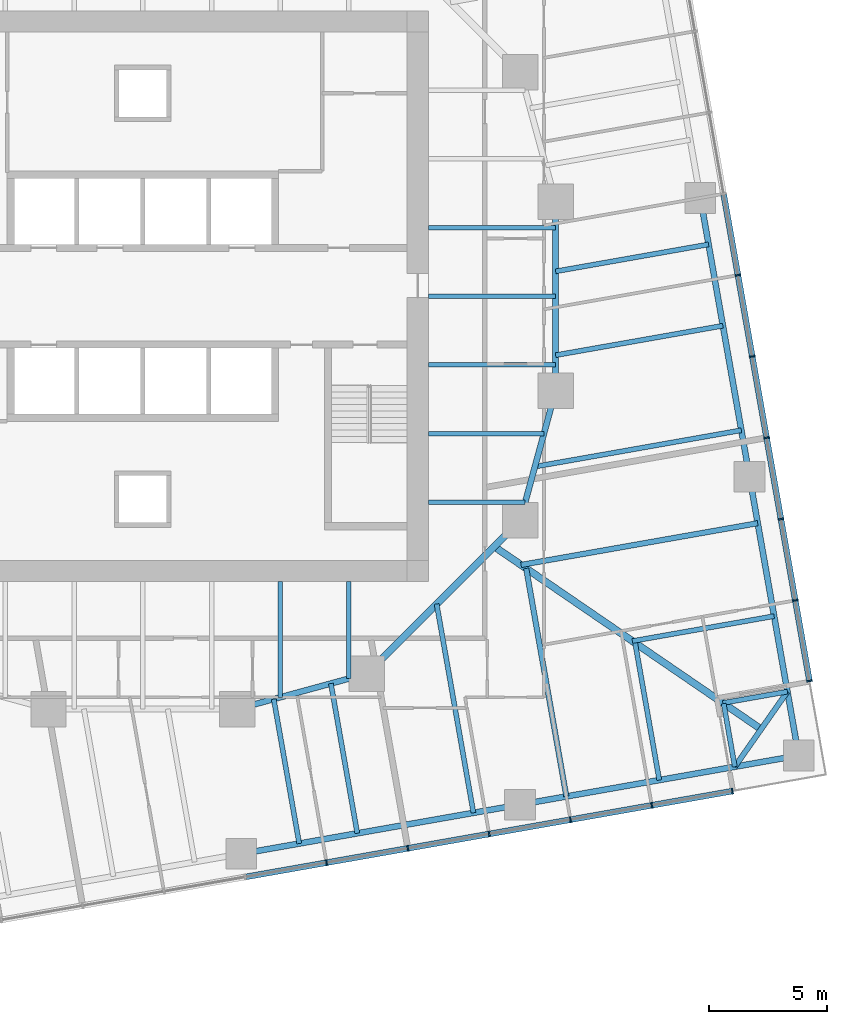
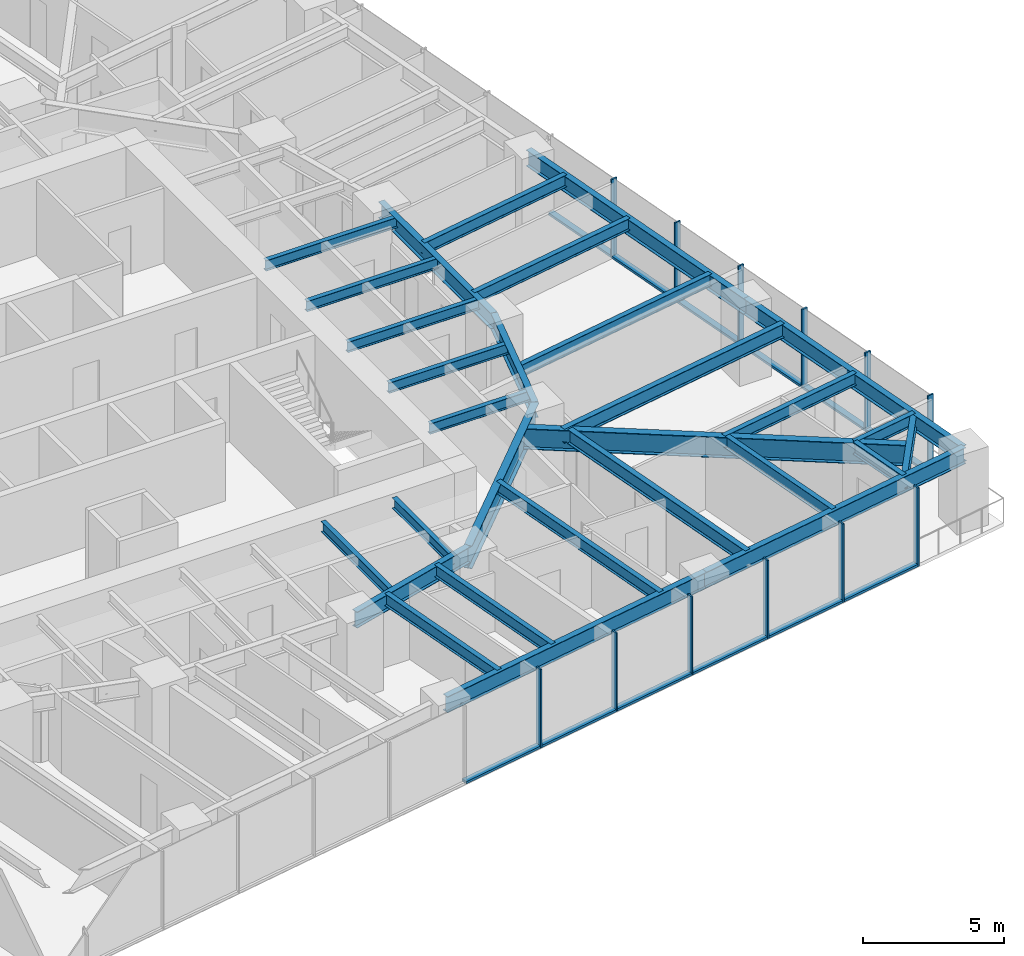
# One storey, part 4 of 14: 29 beams, 24 members, 2 elements without a shape of their own.
"""IFC4 building model written with IfcOpenShell, lengths in metres."""

import ifcopenshell
import ifcopenshell.guid

model = None  # the IFC model being written
_history = None  # IfcOwnerHistory: only IFC2X3 demands one
_inside = {}  # id of a spatial element -> (the spatial element, [elements in it])
_under = {}  # id of a project, library or spatial element -> (it, [spatial elements below it])
_declared = {}  # id of a project -> (the project, [libraries it declares])
_typed = {}  # id of a type object -> (the type object, [elements of that type])
_made_of = {}  # id of a material, layer set ... -> (it, [elements and type objects made of it])


def new_model(schema):
    """Start an empty IFC model of exactly this schema.

    Asked for "IFC4X3", IfcOpenShell would pick the latest addendum, in which some entities
    have other attributes; the version numbers below select the first issue.
    IFC2X3 requires an IfcOwnerHistory on every rooted entity: one is made here for all.
    """
    global model, _history
    if schema == "IFC4X3":
        model = ifcopenshell.file(schema_version=(4, 3, 0, 0))
    else:
        model = ifcopenshell.file(schema=schema)
    _inside.clear()
    _under.clear()
    _declared.clear()
    _typed.clear()
    _made_of.clear()
    _history = None
    if model.schema == "IFC2X3":
        org = make("IfcOrganization", Name="unknown")
        user = make(
            "IfcPersonAndOrganization",
            ThePerson=make("IfcPerson", FamilyName="unknown"),
            TheOrganization=org,
        )
        app = make(
            "IfcApplication",
            ApplicationDeveloper=org,
            Version="unknown",
            ApplicationFullName="unknown",
            ApplicationIdentifier="unknown",
        )
        _history = make(
            "IfcOwnerHistory",
            OwningUser=user,
            OwningApplication=app,
            ChangeAction="ADDED",
            CreationDate=0,
        )
    return model


def make(cls, **values):
    """One entity of the class cls with the attributes given. An attribute that is None is left unset."""
    return model.create_entity(
        cls, **{name: value for name, value in values.items() if value is not None}
    )


def rooted(cls, **values):
    """An entity with a GlobalId (a new one), such as an element, a storey or a relation."""
    return make(cls, GlobalId=ifcopenshell.guid.new(), OwnerHistory=_history, **values)


def si_unit(unit_type, name, prefix=None):
    """IfcSIUnit, for example si_unit("LENGTHUNIT", "METRE", prefix="MILLI")."""
    return make("IfcSIUnit", UnitType=unit_type, Prefix=prefix, Name=name)


def assignment(units):
    """IfcUnitAssignment: the units of a project."""
    return None if units is None else make("IfcUnitAssignment", Units=units)


def point(xyz):
    """IfcCartesianPoint."""
    return None if xyz is None else make("IfcCartesianPoint", Coordinates=xyz)


def direction(xyz):
    """IfcDirection."""
    return None if xyz is None else make("IfcDirection", DirectionRatios=xyz)


def frame(location, z_axis=None, x_axis=None):
    """IfcAxis2Placement3D, a coordinate frame: its origin and axes. An axis left out is left unset."""
    return make(
        "IfcAxis2Placement3D",
        Location=point(location),
        Axis=direction(z_axis),
        RefDirection=direction(x_axis),
    )


def frame_2d(location, x_axis=None):
    """IfcAxis2Placement2D, a coordinate frame in the plane: its origin and x axis."""
    return make(
        "IfcAxis2Placement2D", Location=point(location), RefDirection=direction(x_axis)
    )


def origin():
    """The frame at (0, 0, 0) with its axes left unset."""
    return frame((0.0, 0.0, 0.0))


def origin_2d():
    """The frame at (0, 0) in the plane with its x axis left unset."""
    return frame_2d((0.0, 0.0))


def place(relative_to, where):
    """IfcLocalPlacement: puts the frame where relative to a parent placement (None: the world)."""
    return make(
        "IfcLocalPlacement", PlacementRelTo=relative_to, RelativePlacement=where
    )


def context(
    kind, dimensions, precision=None, world=None, true_north=None, identifier=None
):
    """IfcGeometricRepresentationContext, for example the 3D "Model" context."""
    return make(
        "IfcGeometricRepresentationContext",
        ContextIdentifier=identifier,
        ContextType=kind,
        CoordinateSpaceDimension=dimensions,
        Precision=precision,
        WorldCoordinateSystem=world,
        TrueNorth=true_north,
    )


def subcontext(parent, identifier, kind, view, scale=None):
    """IfcGeometricRepresentationSubContext, for example "Body" below "Model"."""
    return make(
        "IfcGeometricRepresentationSubContext",
        ContextIdentifier=identifier,
        ContextType=kind,
        ParentContext=parent,
        TargetScale=scale,
        TargetView=view,
    )


def project(units=None, contexts=None):
    """IfcProject with its units and contexts."""
    return rooted(
        "IfcProject",
        Name="project",
        RepresentationContexts=contexts,
        UnitsInContext=assignment(units),
    )


def spatial(cls, under=None, at=None, **own):
    """A site, building, storey or space (cls), placed at a placement, below another one or the project."""
    s = rooted(cls, ObjectPlacement=at, **own)
    if under is not None:
        _under.setdefault(under.id(), (under, []))[1].append(s)
    return s


def profile(cls, at=None, kind="AREA", **sizes):
    """A parametric profile (cls). Its sizes go by their IFC names, for example OverallWidth=200.0."""
    return make(cls, ProfileType=kind, Position=at, **sizes)


def rectangle(**sizes):
    """IfcRectangleProfileDef."""
    return profile("IfcRectangleProfileDef", **sizes)


def i_section(**sizes):
    """IfcIShapeProfileDef."""
    return profile("IfcIShapeProfileDef", **sizes)


def extrude(swept, where, along, depth):
    """IfcExtrudedAreaSolid: the profile swept, set in the frame where, extruded along a direction by depth."""
    return make(
        "IfcExtrudedAreaSolid",
        SweptArea=swept,
        Position=where,
        ExtrudedDirection=direction(along),
        Depth=depth,
    )


def shape(context_of_items, identifier, shape_type, items):
    """IfcShapeRepresentation: the items that make up one representation, for example the "Body"."""
    return make(
        "IfcShapeRepresentation",
        ContextOfItems=context_of_items,
        RepresentationIdentifier=identifier,
        RepresentationType=shape_type,
        Items=items,
    )


def material(Name=None, Category=None):
    """IfcMaterial."""
    return make("IfcMaterial", Name=Name, Category=Category)


def material_profile(
    of_material, cross_section, Name=None, Category=None, Priority=None
):
    """IfcMaterialProfile: a cross section and its material."""
    return make(
        "IfcMaterialProfile",
        Name=Name,
        Material=of_material,
        Profile=cross_section,
        Priority=Priority,
        Category=Category,
    )


def profile_set(profiles, Name=None, composite=None):
    """IfcMaterialProfileSet."""
    return make(
        "IfcMaterialProfileSet",
        Name=Name,
        MaterialProfiles=profiles,
        CompositeProfile=composite,
    )


def made_of(thing, what):
    """Note that an element or type object is made of a material, layer set ...; save() writes the relation."""
    if what is not None:
        _made_of.setdefault(what.id(), (what, []))[1].append(thing)
    return thing


def type_object(cls, material=None, **own):
    """A type object (cls), such as IfcWallType, which elements share."""
    return made_of(rooted(cls, **own), material)


def element(
    cls,
    number,
    at=None,
    inside=None,
    cuts=None,
    type_object=None,
    material=None,
    context=None,
    identifier="Body",
    shape_type=None,
    held_by="IfcProductDefinitionShape",
    body=None,
    shapes=None,
    **own,
):
    """One element of the class cls, such as IfcWall. Its Tag is "e" and its number.

    at: its placement. inside: the storey or other place that contains it. cuts: it is an
    opening in that element (IfcRelVoidsElement). A single representation is given by context,
    identifier, shape_type and body (its items); several are given by shapes. held_by: the class
    of the entity that holds the representations. save() writes the other relations.
    """
    e = rooted(cls, Tag="e%d" % number, ObjectPlacement=at, **own)
    if body is not None:
        shapes = [shape(context, identifier, shape_type, body)]
    if shapes is not None:
        e.Representation = make(held_by, Representations=shapes)
    if inside is not None:
        _inside.setdefault(inside.id(), (inside, []))[1].append(e)
    if cuts is not None:
        rooted(
            "IfcRelVoidsElement", RelatingBuildingElement=cuts, RelatedOpeningElement=e
        )
    if type_object is not None:
        _typed.setdefault(type_object.id(), (type_object, []))[1].append(e)
    return made_of(e, material)


def aggregate(whole, parts):
    """IfcRelAggregates: a whole, such as a stair, and the parts it consists of."""
    return rooted("IfcRelAggregates", RelatingObject=whole, RelatedObjects=parts)


def save(model, path):
    """Write the relations noted so far, then the file.

    IfcRelAggregates (storeys below a building ...), IfcRelContainedInSpatialStructure (elements
    in a storey), IfcRelDefinesByType, IfcRelAssociatesMaterial and IfcRelDeclares: one each for
    every whole, place, type object, material and project.
    """
    for whole, parts in _under.values():
        aggregate(whole, parts)
    for where, things in _inside.values():
        rooted(
            "IfcRelContainedInSpatialStructure",
            RelatedElements=things,
            RelatingStructure=where,
        )
    for kind, things in _typed.values():
        rooted("IfcRelDefinesByType", RelatedObjects=things, RelatingType=kind)
    for what, things in _made_of.values():
        rooted("IfcRelAssociatesMaterial", RelatedObjects=things, RelatingMaterial=what)
    for by, libraries in _declared.values():
        rooted("IfcRelDeclares", RelatingContext=by, RelatedDefinitions=libraries)
    model.write(path)


model = new_model("IFC4")

# Units and contexts
model_context = context("Model", 3, precision=1e-05, world=origin(), true_north=direction((0.0, 1.0)))
body_context = subcontext(model_context, "Body", "Model", "MODEL_VIEW")
ifc_project = project(units=[si_unit("LENGTHUNIT", "METRE"), si_unit("AREAUNIT", "SQUARE_METRE"), si_unit("VOLUMEUNIT", "CUBIC_METRE"), si_unit("PLANEANGLEUNIT", "RADIAN"), si_unit("MASSUNIT", "GRAM", prefix="KILO")], contexts=[model_context])

# Site, building, storey
site_placement = place(None, origin())
site = spatial("IfcSite", under=ifc_project, at=site_placement, CompositionType="ELEMENT")
building_placement = place(site_placement, origin())
building = spatial("IfcBuilding", under=site, at=building_placement, Name="Torsade Residences", CompositionType="ELEMENT")
storey_placement = place(building_placement, frame((0.0, 0.0, 86.199951171875)))
storey = spatial("IfcBuildingStorey", under=building, at=storey_placement, Name="L23", CompositionType="ELEMENT", Elevation=86.199951171875)

# Beams
ifc_material_1 = material(Name="Steel grade 300", Category="steel")
ifc_material_profile_1 = material_profile(ifc_material_1, i_section(OverallWidth=0.300048828125, OverallDepth=0.89990234375, WebThickness=0.011962890625, FlangeThickness=0.02490234375, at=origin_2d()), Name="900WB175")
ifc_profile_set_1 = profile_set([ifc_material_profile_1], Name="Steel grade 300")
beam_type_1 = type_object("IfcBeamType", Name="CORNER GIRDER 900WB175", PredefinedType="BEAM", material=ifc_profile_set_1)
beam_1_placement = place(storey_placement, frame((66.2099609375, 11.6474609375, 2.800048828125), z_axis=(-0.825279313977, 0.564724759437, 0.0), x_axis=(-0.564724759437, -0.825279313977, 0.0)))
element("IfcBeam", 1, at=beam_1_placement, inside=storey, type_object=beam_type_1, Name="Corner girder 05 L24", PredefinedType="BEAM", context=body_context, shape_type="SweptSolid", body=[
    extrude(i_section(OverallWidth=0.300048828125, OverallDepth=0.89990234375, WebThickness=0.011962890625, FlangeThickness=0.02490234375, at=origin_2d()), origin(), (0.0, 0.0, 1.0), 13.7138671875),
])
ifc_material_2 = material(Name="Steel grade 300", Category="steel")
ifc_material_profile_2 = material_profile(ifc_material_2, i_section(OverallWidth=0.22802734375, OverallDepth=0.60205078125, WebThickness=0.010498046875, FlangeThickness=0.014892578125, FilletRadius=0.013916015625, at=origin_2d()), Name="610UB101")
ifc_profile_set_2 = profile_set([ifc_material_profile_2], Name="Steel grade 300")
beam_type_2 = type_object("IfcBeamType", Name="CORNER TRIMMER 610UB101", PredefinedType="BEAM", material=ifc_profile_set_2)
beam_2_placement = place(storey_placement, frame((67.325439453125, 13.240478515625, 2.948974609375), z_axis=(-0.573576092373, -0.819152285145, 0.0), x_axis=(0.819152285145, -0.573576092373, 0.0)))
element("IfcBeam", 2, at=beam_2_placement, inside=storey, type_object=beam_type_2, Name="Corner trimmer 05 L24", PredefinedType="BEAM", context=body_context, shape_type="SweptSolid", body=[
    extrude(i_section(OverallWidth=0.22802734375, OverallDepth=0.60205078125, WebThickness=0.010498046875, FlangeThickness=0.014892578125, FilletRadius=0.013916015625, at=origin_2d()), origin(), (0.0, 0.0, 1.0), 3.88916015625),
])

# Curtain wall, members
ifc_material_3 = material(Name="Aluminium and glass", Category="aluminium")
curtain_wall_type = type_object("IfcCurtainWallType", Name="FRITTED GLASS CURTAIN WALL LOW ZONE", PredefinedType="NOTDEFINED", material=ifc_material_3)
curtain_wall_1_placement = place(storey_placement, origin())
curtain_wall_1 = element("IfcCurtainWall", 3, at=curtain_wall_1_placement, inside=storey, type_object=curtain_wall_type, Name="Curtain wall L23 face 1", PredefinedType="NOTDEFINED")
ifc_material_4 = material(Name="Aluminium mullion", Category="aluminium")
ifc_material_profile_3 = material_profile(ifc_material_4, rectangle(XDim=0.25, YDim=0.06494140625, at=origin_2d()), Name="CURTAIN WALL MULLION 250x65")
ifc_profile_set_3 = profile_set([ifc_material_profile_3], Name="Aluminium mullion")
member_type_1 = type_object("IfcMemberType", Name="CURTAIN WALL MULLION 250x65", PredefinedType="MULLION", material=ifc_profile_set_3)
member_1_placement = place(storey_placement, frame((47.7880859375, 5.987548828125, 0.0), z_axis=(0.0, 0.0, 1.0), x_axis=(-0.173648192638, 0.984807750372, 0.0)))
member_1 = element("IfcMember", 4, at=member_1_placement, type_object=member_type_1, Name="Mullion 8", PredefinedType="MULLION", context=body_context, shape_type="SweptSolid", body=[
    extrude(rectangle(XDim=0.25, YDim=0.06494140625, at=origin_2d()), origin(), (0.0, 0.0, 1.0), 3.400146484375),
])
member_2_placement = place(storey_placement, frame((51.23486328125, 6.595458984375, 0.0), z_axis=(0.0, 0.0, 1.0), x_axis=(-0.173648192638, 0.984807750372, 0.0)))
member_2 = element("IfcMember", 5, at=member_2_placement, type_object=member_type_1, Name="Mullion 9", PredefinedType="MULLION", context=body_context, shape_type="SweptSolid", body=[
    extrude(rectangle(XDim=0.25, YDim=0.06494140625, at=origin_2d()), origin(), (0.0, 0.0, 1.0), 3.400146484375),
])
member_3_placement = place(storey_placement, frame((54.681640625, 7.203125, 0.0), z_axis=(0.0, 0.0, 1.0), x_axis=(-0.173648192638, 0.984807750372, 0.0)))
member_3 = element("IfcMember", 6, at=member_3_placement, type_object=member_type_1, Name="Mullion 10", PredefinedType="MULLION", context=body_context, shape_type="SweptSolid", body=[
    extrude(rectangle(XDim=0.25, YDim=0.06494140625, at=origin_2d()), origin(), (0.0, 0.0, 1.0), 3.400146484375),
])
member_4_placement = place(storey_placement, frame((58.12841796875, 7.810791015625, 0.0), z_axis=(0.0, 0.0, 1.0), x_axis=(-0.173648192638, 0.984807750372, 0.0)))
member_4 = element("IfcMember", 7, at=member_4_placement, type_object=member_type_1, Name="Mullion 11", PredefinedType="MULLION", context=body_context, shape_type="SweptSolid", body=[
    extrude(rectangle(XDim=0.25, YDim=0.06494140625, at=origin_2d()), origin(), (0.0, 0.0, 1.0), 3.400146484375),
])
member_5_placement = place(storey_placement, frame((61.575439453125, 8.418701171875, 0.0), z_axis=(0.0, 0.0, 1.0), x_axis=(-0.173648192638, 0.984807750372, 0.0)))
member_5 = element("IfcMember", 8, at=member_5_placement, type_object=member_type_1, Name="Mullion 12", PredefinedType="MULLION", context=body_context, shape_type="SweptSolid", body=[
    extrude(rectangle(XDim=0.25, YDim=0.06494140625, at=origin_2d()), origin(), (0.0, 0.0, 1.0), 3.400146484375),
])
member_6_placement = place(storey_placement, frame((64.990234375, 9.020751953125, 0.0), z_axis=(0.0, 0.0, 1.0), x_axis=(-0.173648192638, 0.984807750372, 0.0)))
member_6 = element("IfcMember", 9, at=member_6_placement, type_object=member_type_1, Name="Mullion 13", PredefinedType="MULLION", context=body_context, shape_type="SweptSolid", body=[
    extrude(rectangle(XDim=0.25, YDim=0.06494140625, at=origin_2d()), origin(), (0.0, 0.0, 1.0), 3.400146484375),
])

curtain_wall_2_placement = place(storey_placement, origin())
curtain_wall_2 = element("IfcCurtainWall", 10, at=curtain_wall_2_placement, inside=storey, type_object=curtain_wall_type, Name="Curtain wall L23 face 4", PredefinedType="NOTDEFINED")
member_7_placement = place(storey_placement, frame((68.26123046875, 13.692138671875, 0.0), z_axis=(0.0, 0.0, 1.0), x_axis=(-0.984807750372, -0.173648192638, 0.0)))
member_7 = element("IfcMember", 11, at=member_7_placement, type_object=member_type_1, Name="Mullion 1", PredefinedType="MULLION", context=body_context, shape_type="SweptSolid", body=[
    extrude(rectangle(XDim=0.25, YDim=0.06494140625, at=origin_2d()), origin(), (0.0, 0.0, 1.0), 3.400146484375),
])
member_8_placement = place(storey_placement, frame((67.658935546875, 17.107177734375, 0.0), z_axis=(0.0, 0.0, 1.0), x_axis=(-0.984807750372, -0.173648192638, 0.0)))
member_8 = element("IfcMember", 12, at=member_8_placement, type_object=member_type_1, Name="Mullion 2", PredefinedType="MULLION", context=body_context, shape_type="SweptSolid", body=[
    extrude(rectangle(XDim=0.25, YDim=0.06494140625, at=origin_2d()), origin(), (0.0, 0.0, 1.0), 3.400146484375),
])
member_9_placement = place(storey_placement, frame((67.05126953125, 20.553955078125, 0.0), z_axis=(0.0, 0.0, 1.0), x_axis=(-0.984807750372, -0.173648192638, 0.0)))
member_9 = element("IfcMember", 13, at=member_9_placement, type_object=member_type_1, Name="Mullion 3", PredefinedType="MULLION", context=body_context, shape_type="SweptSolid", body=[
    extrude(rectangle(XDim=0.25, YDim=0.06494140625, at=origin_2d()), origin(), (0.0, 0.0, 1.0), 3.400146484375),
])
member_10_placement = place(storey_placement, frame((66.443603515625, 24.000732421875, 0.0), z_axis=(0.0, 0.0, 1.0), x_axis=(-0.984807750372, -0.173648192638, 0.0)))
member_10 = element("IfcMember", 14, at=member_10_placement, type_object=member_type_1, Name="Mullion 4", PredefinedType="MULLION", context=body_context, shape_type="SweptSolid", body=[
    extrude(rectangle(XDim=0.25, YDim=0.06494140625, at=origin_2d()), origin(), (0.0, 0.0, 1.0), 3.400146484375),
])
member_11_placement = place(storey_placement, frame((65.835693359375, 27.447509765625, 0.0), z_axis=(0.0, 0.0, 1.0), x_axis=(-0.984807750372, -0.173648192638, 0.0)))
member_11 = element("IfcMember", 15, at=member_11_placement, type_object=member_type_1, Name="Mullion 5", PredefinedType="MULLION", context=body_context, shape_type="SweptSolid", body=[
    extrude(rectangle(XDim=0.25, YDim=0.06494140625, at=origin_2d()), origin(), (0.0, 0.0, 1.0), 3.400146484375),
])
member_12_placement = place(storey_placement, frame((65.22802734375, 30.894287109375, 0.0), z_axis=(0.0, 0.0, 1.0), x_axis=(-0.984807750372, -0.173648192638, 0.0)))
member_12 = element("IfcMember", 16, at=member_12_placement, type_object=member_type_1, Name="Mullion 6", PredefinedType="MULLION", context=body_context, shape_type="SweptSolid", body=[
    extrude(rectangle(XDim=0.25, YDim=0.06494140625, at=origin_2d()), origin(), (0.0, 0.0, 1.0), 3.400146484375),
])

# Member
ifc_material_5 = material(Name="Aluminium transom", Category="aluminium")
ifc_material_profile_4 = material_profile(ifc_material_5, rectangle(XDim=0.25, YDim=0.10009765625, at=origin_2d()), Name="CURTAIN WALL TRANSOM 250x100")
ifc_profile_set_4 = profile_set([ifc_material_profile_4], Name="Aluminium transom")
member_type_2 = type_object("IfcMemberType", Name="CURTAIN WALL TRANSOM 250x100", PredefinedType="USERDEFINED", material=ifc_profile_set_4)
member_13_placement = place(storey_placement, frame((44.373291015625, 5.385498046875, 0.050048828125), z_axis=(0.984810021497, 0.17363531196, 0.0), x_axis=(-0.17363531196, 0.984810021497, 0.0)))
member_13 = element("IfcMember", 17, at=member_13_placement, type_object=member_type_2, Name="Transom 7.1", ObjectType="TRANSOM", PredefinedType="USERDEFINED", context=body_context, shape_type="SweptSolid", body=[
    extrude(rectangle(XDim=0.25, YDim=0.10009765625, at=origin_2d()), origin(), (0.0, 0.0, 1.0), 3.43505859375),
])

member_14_placement = place(storey_placement, frame((47.820068359375, 5.9931640625, 0.050048828125), z_axis=(0.984810021497, 0.17363531196, 0.0), x_axis=(-0.17363531196, 0.984810021497, 0.0)))
member_14 = element("IfcMember", 18, at=member_14_placement, type_object=member_type_2, Name="Transom 8.1", ObjectType="TRANSOM", PredefinedType="USERDEFINED", context=body_context, shape_type="SweptSolid", body=[
    extrude(rectangle(XDim=0.25, YDim=0.10009765625, at=origin_2d()), origin(), (0.0, 0.0, 1.0), 3.43505859375),
])

member_15_placement = place(storey_placement, frame((51.266845703125, 6.60107421875, 0.050048828125), z_axis=(0.984810021497, 0.17363531196, 0.0), x_axis=(-0.17363531196, 0.984810021497, 0.0)))
member_15 = element("IfcMember", 19, at=member_15_placement, type_object=member_type_2, Name="Transom 9.1", ObjectType="TRANSOM", PredefinedType="USERDEFINED", context=body_context, shape_type="SweptSolid", body=[
    extrude(rectangle(XDim=0.25, YDim=0.10009765625, at=origin_2d()), origin(), (0.0, 0.0, 1.0), 3.43505859375),
])

member_16_placement = place(storey_placement, frame((54.713623046875, 7.208740234375, 0.050048828125), z_axis=(0.984810021497, 0.17363531196, 0.0), x_axis=(-0.17363531196, 0.984810021497, 0.0)))
member_16 = element("IfcMember", 20, at=member_16_placement, type_object=member_type_2, Name="Transom 10.1", ObjectType="TRANSOM", PredefinedType="USERDEFINED", context=body_context, shape_type="SweptSolid", body=[
    extrude(rectangle(XDim=0.25, YDim=0.10009765625, at=origin_2d()), origin(), (0.0, 0.0, 1.0), 3.43505859375),
])

member_17_placement = place(storey_placement, frame((58.160400390625, 7.81640625, 0.050048828125), z_axis=(0.98479786563, 0.173704242465, 0.0), x_axis=(-0.173704242465, 0.98479786563, 0.0)))
member_17 = element("IfcMember", 21, at=member_17_placement, type_object=member_type_2, Name="Transom 11.1", ObjectType="TRANSOM", PredefinedType="USERDEFINED", context=body_context, shape_type="SweptSolid", body=[
    extrude(rectangle(XDim=0.25, YDim=0.10009765625, at=origin_2d()), origin(), (0.0, 0.0, 1.0), 3.43505859375),
])

member_18_placement = place(storey_placement, frame((61.607421875, 8.42431640625, 0.050048828125), z_axis=(0.984808830466, 0.173642067011, 0.0), x_axis=(-0.173642067011, 0.984808830466, 0.0)))
member_18 = element("IfcMember", 22, at=member_18_placement, type_object=member_type_2, Name="Transom 12.1", ObjectType="TRANSOM", PredefinedType="USERDEFINED", context=body_context, shape_type="SweptSolid", body=[
    extrude(rectangle(XDim=0.25, YDim=0.10009765625, at=origin_2d()), origin(), (0.0, 0.0, 1.0), 3.402587890625),
])

aggregate(curtain_wall_1, [member_1, member_2, member_3, member_4, member_5, member_6, member_13, member_14, member_15, member_16, member_17, member_18])

member_19_placement = place(storey_placement, frame((68.255615234375, 13.724365234375, 0.050048828125), z_axis=(-0.173654337918, 0.984806666774, 0.0), x_axis=(-0.984806666774, -0.173654337918, 0.0)))
member_19 = element("IfcMember", 23, at=member_19_placement, type_object=member_type_2, Name="Transom 1.1", ObjectType="TRANSOM", PredefinedType="USERDEFINED", context=body_context, shape_type="SweptSolid", body=[
    extrude(rectangle(XDim=0.25, YDim=0.10009765625, at=origin_2d()), origin(), (0.0, 0.0, 1.0), 3.40234375),
])

member_20_placement = place(storey_placement, frame((67.6533203125, 17.13916015625, 0.050048828125), z_axis=(-0.17363531196, 0.984810021497, 0.0), x_axis=(-0.984810021497, -0.17363531196, 0.0)))
member_20 = element("IfcMember", 24, at=member_20_placement, type_object=member_type_2, Name="Transom 2.1", ObjectType="TRANSOM", PredefinedType="USERDEFINED", context=body_context, shape_type="SweptSolid", body=[
    extrude(rectangle(XDim=0.25, YDim=0.10009765625, at=origin_2d()), origin(), (0.0, 0.0, 1.0), 3.43505859375),
])

member_21_placement = place(storey_placement, frame((67.045654296875, 20.5859375, 0.050048828125), z_axis=(-0.17363531196, 0.984810021497, 0.0), x_axis=(-0.984810021497, -0.17363531196, 0.0)))
member_21 = element("IfcMember", 25, at=member_21_placement, type_object=member_type_2, Name="Transom 3.1", ObjectType="TRANSOM", PredefinedType="USERDEFINED", context=body_context, shape_type="SweptSolid", body=[
    extrude(rectangle(XDim=0.25, YDim=0.10009765625, at=origin_2d()), origin(), (0.0, 0.0, 1.0), 3.43505859375),
])

member_22_placement = place(storey_placement, frame((66.437744140625, 24.03271484375, 0.050048828125), z_axis=(-0.17363531196, 0.984810021497, 0.0), x_axis=(-0.984810021497, -0.17363531196, 0.0)))
member_22 = element("IfcMember", 26, at=member_22_placement, type_object=member_type_2, Name="Transom 4.1", ObjectType="TRANSOM", PredefinedType="USERDEFINED", context=body_context, shape_type="SweptSolid", body=[
    extrude(rectangle(XDim=0.25, YDim=0.10009765625, at=origin_2d()), origin(), (0.0, 0.0, 1.0), 3.43505859375),
])

member_23_placement = place(storey_placement, frame((65.830078125, 27.4794921875, 0.050048828125), z_axis=(-0.17363531196, 0.984810021497, 0.0), x_axis=(-0.984810021497, -0.17363531196, 0.0)))
member_23 = element("IfcMember", 27, at=member_23_placement, type_object=member_type_2, Name="Transom 5.1", ObjectType="TRANSOM", PredefinedType="USERDEFINED", context=body_context, shape_type="SweptSolid", body=[
    extrude(rectangle(XDim=0.25, YDim=0.10009765625, at=origin_2d()), origin(), (0.0, 0.0, 1.0), 3.43505859375),
])

member_24_placement = place(storey_placement, frame((65.222412109375, 30.92626953125, 0.050048828125), z_axis=(-0.173704242465, 0.98479786563, 0.0), x_axis=(-0.98479786563, -0.173704242465, 0.0)))
member_24 = element("IfcMember", 28, at=member_24_placement, type_object=member_type_2, Name="Transom 6.1", ObjectType="TRANSOM", PredefinedType="USERDEFINED", context=body_context, shape_type="SweptSolid", body=[
    extrude(rectangle(XDim=0.25, YDim=0.10009765625, at=origin_2d()), origin(), (0.0, 0.0, 1.0), 3.43505859375),
])

aggregate(curtain_wall_2, [member_7, member_8, member_9, member_10, member_11, member_12, member_19, member_20, member_21, member_22, member_23, member_24])

# Beams
ifc_material_6 = material(Name="Steel grade 300", Category="steel")
ifc_material_profile_5 = material_profile(ifc_material_6, i_section(OverallWidth=0.25, OverallDepth=0.699951171875, WebThickness=0.010009765625, FlangeThickness=0.02001953125, at=origin_2d()), Name="700WB130")
ifc_profile_set_5 = profile_set([ifc_material_profile_5], Name="Steel grade 300")
beam_type_3 = type_object("IfcBeamType", Name="EDGE BEAM 700WB130", PredefinedType="SPANDREL", material=ifc_profile_set_5)
beam_3_placement = place(storey_placement, frame((44.16748046875, 6.364501953125, 2.900146484375), z_axis=(0.984805261243, 0.173662308598, 0.0), x_axis=(-0.173662308598, 0.984805261243, 0.0)))
element("IfcBeam", 29, at=beam_3_placement, inside=storey, type_object=beam_type_3, Name="Edge beam 03 L24", PredefinedType="SPANDREL", context=body_context, shape_type="SweptSolid", body=[
    extrude(i_section(OverallWidth=0.25, OverallDepth=0.699951171875, WebThickness=0.010009765625, FlangeThickness=0.02001953125, at=origin_2d()), origin(), (0.0, 0.0, 1.0), 12.000244140625),
])
for number, where, z_axis, x_axis, name in (
    (30, (55.9853515625, 8.448486328125, 2.900146484375), (0.984808127031, 0.173646056486, 0.0), (-0.173646056486, 0.984808127031, 0.0), "Edge beam 04 L24"),
    (31, (67.802978515625, 10.5322265625, 2.900146484375), (-0.173646056486, 0.984808127031, 0.0), (-0.984808127031, -0.173646056486, 0.0), "Edge beam 05 L24"),
    (32, (65.71923828125, 22.349853515625, 2.900146484375), (-0.173646056486, 0.984808127031, 0.0), (-0.984808127031, -0.173646056486, 0.0), "Edge beam 06 L24"),
):
    element("IfcBeam", number, at=place(storey_placement, frame(where, z_axis=z_axis, x_axis=x_axis)), inside=storey, type_object=beam_type_3, Name=name, PredefinedType="SPANDREL", context=body_context, shape_type="SweptSolid", body=[
        extrude(i_section(OverallWidth=0.25, OverallDepth=0.699951171875, WebThickness=0.010009765625, FlangeThickness=0.02001953125, at=origin_2d()), origin(), (0.0, 0.0, 1.0), 12.0),
    ])
ifc_material_7 = material(Name="Steel grade 300", Category="steel")
ifc_material_profile_6 = material_profile(ifc_material_7, i_section(OverallWidth=0.18994140625, OverallDepth=0.4541015625, WebThickness=0.008544921875, FlangeThickness=0.0126953125, FilletRadius=0.011474609375, at=origin_2d()), Name="460UB67.1")
ifc_profile_set_6 = profile_set([ifc_material_profile_6], Name="Steel grade 300")
beam_type_4 = type_object("IfcBeamType", Name="INNER FLOOR BEAM 460UB67.1", PredefinedType="JOIST", material=ifc_profile_set_6)
beam_4_placement = place(storey_placement, frame((48.737548828125, 17.89990234375, 3.02294921875), z_axis=(0.0, -1.0, 0.0), x_axis=(1.0, 0.0, 0.0)))
element("IfcBeam", 33, at=beam_4_placement, inside=storey, type_object=beam_type_4, Name="Inner floor beam IS01 L24", PredefinedType="JOIST", context=body_context, shape_type="SweptSolid", body=[
    extrude(i_section(OverallWidth=0.18994140625, OverallDepth=0.4541015625, WebThickness=0.008544921875, FlangeThickness=0.0126953125, FilletRadius=0.011474609375, at=origin_2d()), origin(), (0.0, 0.0, 1.0), 4.10791015625),
])
beam_5_placement = place(storey_placement, frame((45.824951171875, 17.89990234375, 3.02294921875), z_axis=(0.0, -1.0, 0.0), x_axis=(1.0, 0.0, 0.0)))
element("IfcBeam", 34, at=beam_5_placement, inside=storey, type_object=beam_type_4, Name="Inner floor beam IS02 L24", PredefinedType="JOIST", context=body_context, shape_type="SweptSolid", body=[
    extrude(i_section(OverallWidth=0.18994140625, OverallDepth=0.4541015625, WebThickness=0.008544921875, FlangeThickness=0.0126953125, FilletRadius=0.011474609375, at=origin_2d()), origin(), (0.0, 0.0, 1.0), 4.902099609375),
])
beam_6_placement = place(storey_placement, frame((52.10009765625, 21.262451171875, 3.02294921875), z_axis=(1.0, 0.0, 0.0), x_axis=(0.0, 1.0, 0.0)))
element("IfcBeam", 35, at=beam_6_placement, inside=storey, type_object=beam_type_4, Name="Inner floor beam IE01 L24", PredefinedType="JOIST", context=body_context, shape_type="SweptSolid", body=[
    extrude(i_section(OverallWidth=0.18994140625, OverallDepth=0.4541015625, WebThickness=0.008544921875, FlangeThickness=0.0126953125, FilletRadius=0.011474609375, at=origin_2d()), origin(), (0.0, 0.0, 1.0), 4.10791015625),
])
beam_7_placement = place(storey_placement, frame((52.10009765625, 24.175048828125, 3.02294921875), z_axis=(1.0, 0.0, 0.0), x_axis=(0.0, 1.0, 0.0)))
element("IfcBeam", 36, at=beam_7_placement, inside=storey, type_object=beam_type_4, Name="Inner floor beam IE02 L24", PredefinedType="JOIST", context=body_context, shape_type="SweptSolid", body=[
    extrude(i_section(OverallWidth=0.18994140625, OverallDepth=0.4541015625, WebThickness=0.008544921875, FlangeThickness=0.0126953125, FilletRadius=0.011474609375, at=origin_2d()), origin(), (0.0, 0.0, 1.0), 4.902099609375),
])
for number, where, z_axis, x_axis, name in (
    (37, (52.10009765625, 27.08740234375, 3.02294921875), (1.0, 0.0, 0.0), (0.0, 1.0, 0.0), "Inner floor beam IE03 L24"),
    (38, (52.10009765625, 30.0, 3.02294921875), (1.0, 0.0, 0.0), (0.0, 1.0, 0.0), "Inner floor beam IE04 L24"),
    (39, (52.10009765625, 32.91259765625, 3.02294921875), (1.0, 0.0, 0.0), (0.0, 1.0, 0.0), "Inner floor beam IE05 L24"),
):
    element("IfcBeam", number, at=place(storey_placement, frame(where, z_axis=z_axis, x_axis=x_axis)), inside=storey, type_object=beam_type_4, Name=name, PredefinedType="JOIST", context=body_context, shape_type="SweptSolid", body=[
        extrude(i_section(OverallWidth=0.18994140625, OverallDepth=0.4541015625, WebThickness=0.008544921875, FlangeThickness=0.0126953125, FilletRadius=0.011474609375, at=origin_2d()), origin(), (0.0, 0.0, 1.0), 5.39990234375),
    ])
ifc_material_8 = material(Name="Steel grade 300", Category="steel")
ifc_material_profile_7 = material_profile(ifc_material_8, i_section(OverallWidth=0.300048828125, OverallDepth=1.0, WebThickness=0.01611328125, FlangeThickness=0.028076171875, at=origin_2d()), Name="1000WB215")
ifc_profile_set_7 = profile_set([ifc_material_profile_7], Name="Steel grade 300")
beam_type_5 = type_object("IfcBeamType", Name="RING CORNER GIRDER 1000WB215", PredefinedType="BEAM", material=ifc_profile_set_7)
beam_8_placement = place(storey_placement, frame((49.5, 14.0, 2.75), z_axis=(0.707106781187, 0.707106781187, 0.0), x_axis=(-0.707106781187, 0.707106781187, 0.0)))
element("IfcBeam", 40, at=beam_8_placement, inside=storey, type_object=beam_type_5, Name="Ring girder IR15 L24", PredefinedType="BEAM", context=body_context, shape_type="SweptSolid", body=[
    extrude(i_section(OverallWidth=0.300048828125, OverallDepth=1.0, WebThickness=0.01611328125, FlangeThickness=0.028076171875, at=origin_2d()), origin(), (0.0, 0.0, 1.0), 9.1923828125),
])
ifc_material_9 = material(Name="Steel grade 300", Category="steel")
ifc_material_profile_8 = material_profile(ifc_material_9, i_section(OverallWidth=0.25, OverallDepth=0.699951171875, WebThickness=0.010009765625, FlangeThickness=0.02001953125, at=origin_2d()), Name="700WB130")
ifc_profile_set_8 = profile_set([ifc_material_profile_8], Name="Steel grade 300")
beam_type_6 = type_object("IfcBeamType", Name="RING GIRDER 700WB130", PredefinedType="BEAM", material=ifc_profile_set_8)
beam_9_placement = place(storey_placement, frame((57.5, 26.0, 2.900146484375), z_axis=(0.0, 1.0, 0.0), x_axis=(-1.0, 0.0, 0.0)))
element("IfcBeam", 41, at=beam_9_placement, inside=storey, type_object=beam_type_6, Name="Ring girder IR01 L24", PredefinedType="BEAM", context=body_context, shape_type="SweptSolid", body=[
    extrude(i_section(OverallWidth=0.25, OverallDepth=0.699951171875, WebThickness=0.010009765625, FlangeThickness=0.02001953125, at=origin_2d()), origin(), (0.0, 0.0, 1.0), 8.0),
])
for number, where, z_axis, x_axis, name in (
    (42, (44.0, 12.5, 2.900146484375), (0.964763821238, 0.263117405792, 0.0), (-0.263117405792, 0.964763821238, 0.0), "Ring girder IR14 L24"),
    (43, (56.0, 20.5, 2.900146484375), (0.263117405792, 0.964763821238, 0.0), (-0.964763821238, 0.263117405792, 0.0), "Ring girder IR16 L24"),
):
    element("IfcBeam", number, at=place(storey_placement, frame(where, z_axis=z_axis, x_axis=x_axis)), inside=storey, type_object=beam_type_6, Name=name, PredefinedType="BEAM", context=body_context, shape_type="SweptSolid", body=[
        extrude(i_section(OverallWidth=0.25, OverallDepth=0.699951171875, WebThickness=0.010009765625, FlangeThickness=0.02001953125, at=origin_2d()), origin(), (0.0, 0.0, 1.0), 5.700927734375),
    ])
ifc_material_10 = material(Name="Steel grade 300", Category="steel")
ifc_material_profile_9 = material_profile(ifc_material_10, i_section(OverallWidth=0.208984375, OverallDepth=0.528076171875, WebThickness=0.009521484375, FlangeThickness=0.01318359375, FilletRadius=0.013916015625, at=origin_2d()), Name="530UB82.0")
ifc_profile_set_9 = profile_set([ifc_material_profile_9], Name="Steel grade 300")
beam_type_7 = type_object("IfcBeamType", Name="SECONDARY BEAM 530UB82.0", PredefinedType="JOIST", material=ifc_profile_set_9)
beam_10_placement = place(storey_placement, frame((46.629638671875, 6.798828125, 2.986083984375), z_axis=(-0.173655425542, 0.984806474989, 0.0), x_axis=(-0.984806474989, -0.173655425542, 0.0)))
element("IfcBeam", 44, at=beam_10_placement, inside=storey, type_object=beam_type_7, Name="Floor beam FS07 L24", PredefinedType="JOIST", context=body_context, shape_type="SweptSolid", body=[
    extrude(i_section(OverallWidth=0.208984375, OverallDepth=0.528076171875, WebThickness=0.009521484375, FlangeThickness=0.01318359375, FilletRadius=0.013916015625, at=origin_2d()), origin(), (0.0, 0.0, 1.0), 6.21826171875),
])
beam_11_placement = place(storey_placement, frame((49.091552734375, 7.23291015625, 2.986083984375), z_axis=(-0.17363198078, 0.984810608823, 0.0), x_axis=(-0.984810608823, -0.17363198078, 0.0)))
element("IfcBeam", 45, at=beam_11_placement, inside=storey, type_object=beam_type_7, Name="Floor beam FS08 L24", PredefinedType="JOIST", context=body_context, shape_type="SweptSolid", body=[
    extrude(i_section(OverallWidth=0.208984375, OverallDepth=0.528076171875, WebThickness=0.009521484375, FlangeThickness=0.01318359375, FilletRadius=0.013916015625, at=origin_2d()), origin(), (0.0, 0.0, 1.0), 6.4482421875),
])
beam_12_placement = place(storey_placement, frame((54.015625, 8.10107421875, 2.986083984375), z_axis=(-0.173639706679, 0.984809246638, 0.0), x_axis=(-0.984809246638, -0.173639706679, 0.0)))
element("IfcBeam", 46, at=beam_12_placement, inside=storey, type_object=beam_type_7, Name="Floor beam FS09 L24", PredefinedType="JOIST", context=body_context, shape_type="SweptSolid", body=[
    extrude(i_section(OverallWidth=0.208984375, OverallDepth=0.528076171875, WebThickness=0.009521484375, FlangeThickness=0.01318359375, FilletRadius=0.013916015625, at=origin_2d()), origin(), (0.0, 0.0, 1.0), 8.989990234375),
])
beam_13_placement = place(storey_placement, frame((61.89404296875, 9.490234375, 2.986083984375), z_axis=(-0.173629569808, 0.984811033899, 0.0), x_axis=(-0.984811033899, -0.173629569808, 0.0)))
element("IfcBeam", 47, at=beam_13_placement, inside=storey, type_object=beam_type_7, Name="Floor beam FS11 L24", PredefinedType="JOIST", context=body_context, shape_type="SweptSolid", body=[
    extrude(i_section(OverallWidth=0.208984375, OverallDepth=0.528076171875, WebThickness=0.009521484375, FlangeThickness=0.01318359375, FilletRadius=0.013916015625, at=origin_2d()), origin(), (0.0, 0.0, 1.0), 5.9013671875),
])
beam_14_placement = place(storey_placement, frame((65.0947265625, 10.0546875, 2.986083984375), z_axis=(-0.17364710834, 0.984807941563, 0.0), x_axis=(-0.984807941563, -0.17364710834, 0.0)))
element("IfcBeam", 48, at=beam_14_placement, inside=storey, type_object=beam_type_7, Name="Floor beam FS12 L24", PredefinedType="JOIST", context=body_context, shape_type="SweptSolid", body=[
    extrude(i_section(OverallWidth=0.208984375, OverallDepth=0.528076171875, WebThickness=0.009521484375, FlangeThickness=0.01318359375, FilletRadius=0.013916015625, at=origin_2d()), origin(), (0.0, 0.0, 1.0), 2.720458984375),
])
beam_15_placement = place(storey_placement, frame((67.325439453125, 13.240478515625, 2.986083984375), z_axis=(-0.984797700832, -0.173705176765, 0.0), x_axis=(0.173705176765, -0.984797700832, 0.0)))
element("IfcBeam", 49, at=beam_15_placement, inside=storey, type_object=beam_type_7, Name="Floor beam FE01 L24", PredefinedType="JOIST", context=body_context, shape_type="SweptSolid", body=[
    extrude(i_section(OverallWidth=0.208984375, OverallDepth=0.528076171875, WebThickness=0.009521484375, FlangeThickness=0.01318359375, FilletRadius=0.013916015625, at=origin_2d()), origin(), (0.0, 0.0, 1.0), 2.780029296875),
])
beam_16_placement = place(storey_placement, frame((66.760986328125, 16.44091796875, 2.986083984375), z_axis=(-0.984809331556, -0.173639225065, 0.0), x_axis=(0.173639225065, -0.984809331556, 0.0)))
element("IfcBeam", 50, at=beam_16_placement, inside=storey, type_object=beam_type_7, Name="Floor beam FE02 L24", PredefinedType="JOIST", context=body_context, shape_type="SweptSolid", body=[
    extrude(i_section(OverallWidth=0.208984375, OverallDepth=0.528076171875, WebThickness=0.009521484375, FlangeThickness=0.01318359375, FilletRadius=0.013916015625, at=origin_2d()), origin(), (0.0, 0.0, 1.0), 6.100830078125),
])
beam_17_placement = place(storey_placement, frame((65.371826171875, 24.319580078125, 2.986083984375), z_axis=(-0.984804296147, -0.173667781384, 0.0), x_axis=(0.173667781384, -0.984804296147, 0.0)))
element("IfcBeam", 51, at=beam_17_placement, inside=storey, type_object=beam_type_7, Name="Floor beam FE04 L24", PredefinedType="JOIST", context=body_context, shape_type="SweptSolid", body=[
    extrude(i_section(OverallWidth=0.208984375, OverallDepth=0.528076171875, WebThickness=0.009521484375, FlangeThickness=0.01318359375, FilletRadius=0.013916015625, at=origin_2d()), origin(), (0.0, 0.0, 1.0), 8.885986328125),
])
beam_18_placement = place(storey_placement, frame((64.59033203125, 28.751220703125, 2.986083984375), z_axis=(-0.984807104535, -0.173651855324, 0.0), x_axis=(0.173651855324, -0.984807104535, 0.0)))
element("IfcBeam", 52, at=beam_18_placement, inside=storey, type_object=beam_type_7, Name="Floor beam FE05 L24", PredefinedType="JOIST", context=body_context, shape_type="SweptSolid", body=[
    extrude(i_section(OverallWidth=0.208984375, OverallDepth=0.528076171875, WebThickness=0.009521484375, FlangeThickness=0.01318359375, FilletRadius=0.013916015625, at=origin_2d()), origin(), (0.0, 0.0, 1.0), 7.19970703125),
])
beam_19_placement = place(storey_placement, frame((63.982666015625, 32.197998046875, 2.986083984375), z_axis=(-0.984807818459, -0.173647806501, 0.0), x_axis=(0.173647806501, -0.984807818459, 0.0)))
element("IfcBeam", 53, at=beam_19_placement, inside=storey, type_object=beam_type_7, Name="Floor beam FE06 L24", PredefinedType="JOIST", context=body_context, shape_type="SweptSolid", body=[
    extrude(i_section(OverallWidth=0.208984375, OverallDepth=0.528076171875, WebThickness=0.009521484375, FlangeThickness=0.01318359375, FilletRadius=0.013916015625, at=origin_2d()), origin(), (0.0, 0.0, 1.0), 6.582763671875),
])
ifc_material_11 = material(Name="Steel grade 300", Category="steel")
ifc_material_profile_10 = material_profile(ifc_material_11, i_section(OverallWidth=0.22900390625, OverallDepth=0.612060546875, WebThickness=0.011962890625, FlangeThickness=0.01953125, FilletRadius=0.013916015625, at=origin_2d()), Name="610UB125")
ifc_profile_set_10 = profile_set([ifc_material_profile_10], Name="Steel grade 300")
beam_type_8 = type_object("IfcBeamType", Name="SECONDARY BEAM 610UB125", PredefinedType="JOIST", material=ifc_profile_set_10)
beam_20_placement = place(storey_placement, frame((57.954833984375, 8.795654296875, 2.944091796875), z_axis=(-0.173651961637, 0.984807085789, 0.0), x_axis=(-0.984807085789, -0.173651961637, 0.0)))
element("IfcBeam", 54, at=beam_20_placement, inside=storey, type_object=beam_type_8, Name="Floor beam FS10 L24", PredefinedType="JOIST", context=body_context, shape_type="SweptSolid", body=[
    extrude(i_section(OverallWidth=0.22900390625, OverallDepth=0.612060546875, WebThickness=0.011962890625, FlangeThickness=0.01953125, FilletRadius=0.013916015625, at=origin_2d()), origin(), (0.0, 0.0, 1.0), 9.816162109375),
])
beam_21_placement = place(storey_placement, frame((66.06640625, 20.380126953125, 2.944091796875), z_axis=(-0.984808397525, -0.173644522411, 0.0), x_axis=(0.173644522411, -0.984808397525, 0.0)))
element("IfcBeam", 55, at=beam_21_placement, inside=storey, type_object=beam_type_8, Name="Floor beam FE03 L24", PredefinedType="JOIST", context=body_context, shape_type="SweptSolid", body=[
    extrude(i_section(OverallWidth=0.22900390625, OverallDepth=0.612060546875, WebThickness=0.011962890625, FlangeThickness=0.01953125, FilletRadius=0.013916015625, at=origin_2d()), origin(), (0.0, 0.0, 1.0), 10.187744140625),
])

save(model, "model.ifc")
